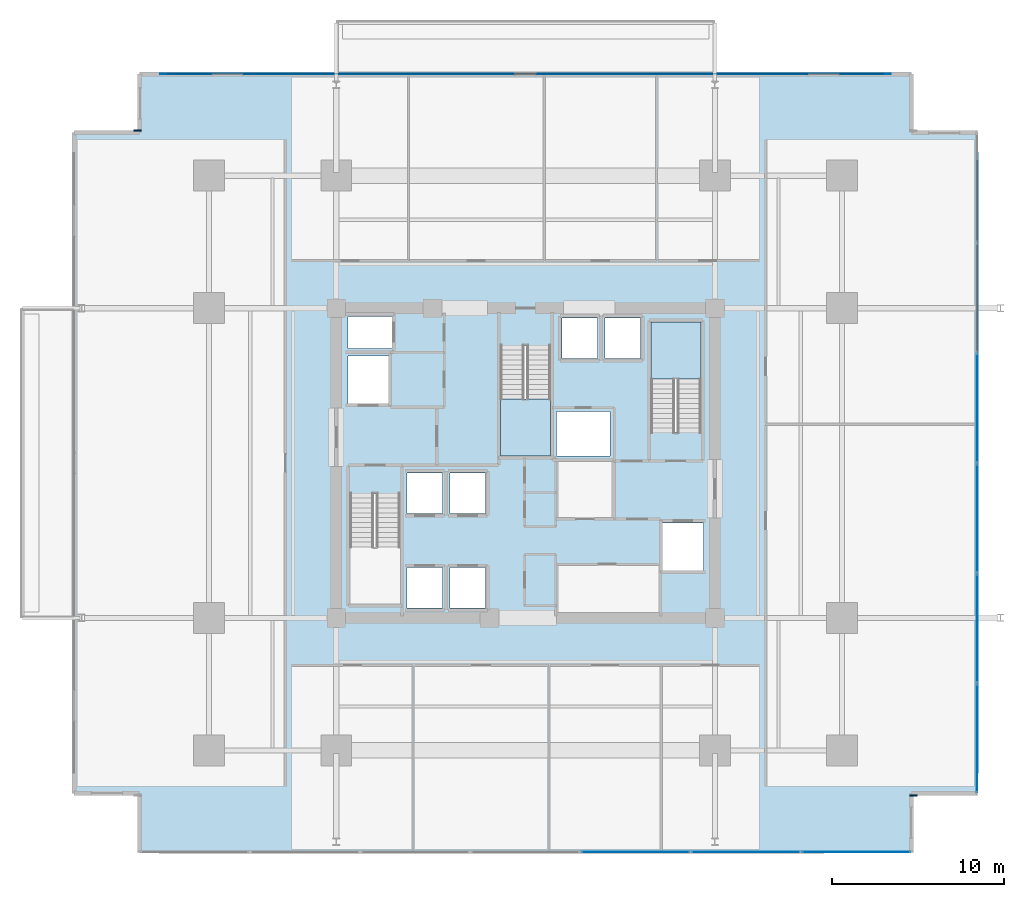
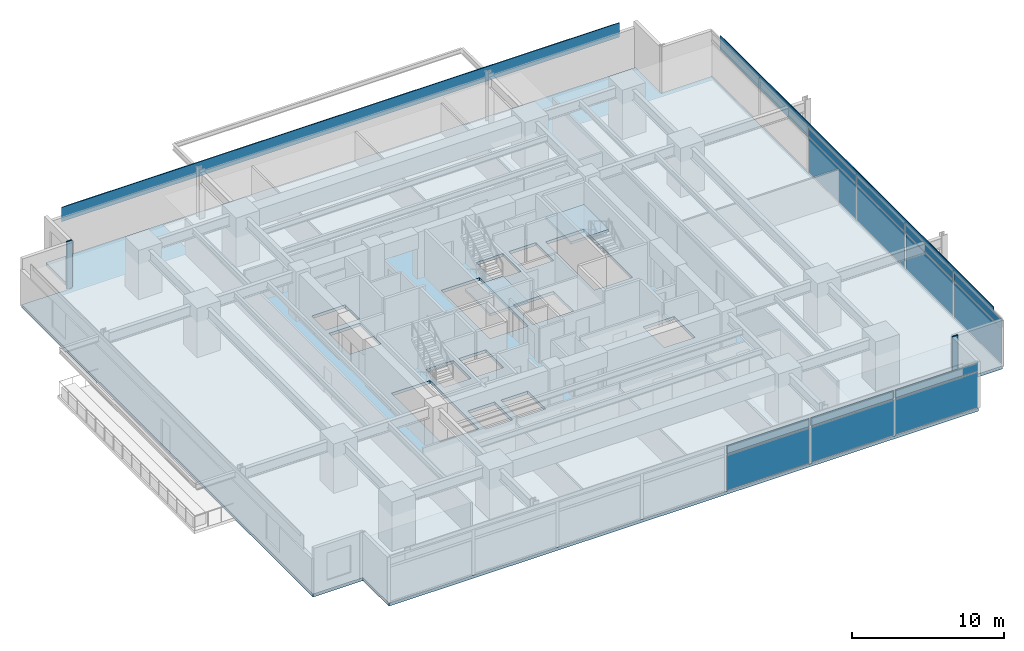
# One storey, part 13 of 22: 20 plates, 3 slabs, 4 elements without a shape of their own.
"""IFC4 building model written with IfcOpenShell, lengths in metres."""

from ifc_helpers import new_model, si_unit, direction, frame, origin, origin_2d, place, context, subcontext, project, spatial, polyline, rectangle, outline, extrude, material, layer, layer_set, type_object, element, aggregate, save


model = new_model("IFC4")

# Units and contexts
model_context = context("Model", 3, precision=1e-05, world=origin(), true_north=direction((0.0, 1.0)))
body_context = subcontext(model_context, "Body", "Model", "MODEL_VIEW")
ifc_project = project(units=[si_unit("LENGTHUNIT", "METRE"), si_unit("AREAUNIT", "SQUARE_METRE"), si_unit("VOLUMEUNIT", "CUBIC_METRE"), si_unit("PLANEANGLEUNIT", "RADIAN"), si_unit("MASSUNIT", "GRAM", prefix="KILO")], contexts=[model_context])

# Site, building, storey
site_placement = place(None, origin())
site = spatial("IfcSite", under=ifc_project, at=site_placement, CompositionType="ELEMENT")
building_placement = place(site_placement, origin())
building = spatial("IfcBuilding", under=site, at=building_placement, Name="Kovane Verandah Tower", CompositionType="ELEMENT")
storey_placement = place(building_placement, frame((0.0, 0.0, 79.60009765625)))
storey = spatial("IfcBuildingStorey", under=building, at=storey_placement, Name="L18", CompositionType="ELEMENT", Elevation=79.60009765625)

# Curtain wall, plates
ifc_material_1 = material(Name="Champagne Anodised Aluminium Frame with Low-E Clear Laminated Glass", Category="aluminium")
curtain_wall_type = type_object("IfcCurtainWallType", Name="CW-SYS-02-LOW", PredefinedType="NOTDEFINED", material=ifc_material_1)
curtain_wall_1_placement = place(storey_placement, origin())
curtain_wall_1 = element("IfcCurtainWall", 1, at=curtain_wall_1_placement, inside=storey, type_object=curtain_wall_type, Name="L18 S Unitised Curtain Wall", PredefinedType="NOTDEFINED")
ifc_material_2 = material(Name="Pale Champagne Anodised Aluminium Insulated Spandrel", Category="aluminium")
ifc_layer_1 = layer(ifc_material_2, 0.0400390625)
ifc_layer_set_1 = layer_set([ifc_layer_1], Name="Pale Champagne Anodised Aluminium Insulated Spandrel")
plate_type_1 = type_object("IfcPlateType", Name="PL-CW-SPD-40", PredefinedType="SHEET", material=ifc_layer_set_1)
plate_1_placement = place(storey_placement, frame((46.408203125, 4.89990234375, 3.02978515625), z_axis=(0.0, 0.0, 1.0), x_axis=(1.0, 0.0, 0.0)))
plate_1 = element("IfcPlate", 2, at=plate_1_placement, type_object=plate_type_1, Name="L18 S Unitised Curtain Wall Spandrel Panel 5", PredefinedType="SHEET", context=body_context, shape_type="SweptSolid", body=[
    extrude(rectangle(XDim=6.268310546875, YDim=0.0400390625, at=origin_2d()), origin(), (0.0, 0.0, 1.0), 0.639892578125),
])
plate_2_placement = place(storey_placement, frame((52.81640625, 4.89990234375, 3.02978515625), z_axis=(0.0, 0.0, 1.0), x_axis=(1.0, 0.0, 0.0)))
plate_2 = element("IfcPlate", 3, at=plate_2_placement, type_object=plate_type_1, Name="L18 S Unitised Curtain Wall Spandrel Panel 6", PredefinedType="SHEET", context=body_context, shape_type="SweptSolid", body=[
    extrude(rectangle(XDim=6.268310546875, YDim=0.0400390625, at=origin_2d()), origin(), (0.0, 0.0, 1.0), 0.639892578125),
])
plate_3_placement = place(storey_placement, frame((59.224609375, 4.89990234375, 3.02978515625), z_axis=(0.0, 0.0, 1.0), x_axis=(1.0, 0.0, 0.0)))
plate_3 = element("IfcPlate", 4, at=plate_3_placement, type_object=plate_type_1, Name="L18 S Unitised Curtain Wall Spandrel Panel 7", PredefinedType="SHEET", context=body_context, shape_type="SweptSolid", body=[
    extrude(rectangle(XDim=6.268310546875, YDim=0.0400390625, at=origin_2d()), origin(), (0.0, 0.0, 1.0), 0.639892578125),
])

curtain_wall_2_placement = place(storey_placement, origin())
curtain_wall_2 = element("IfcCurtainWall", 5, at=curtain_wall_2_placement, inside=storey, type_object=curtain_wall_type, Name="L18 E Unitised Curtain Wall", PredefinedType="NOTDEFINED")
plate_4_placement = place(storey_placement, frame((66.228759765625, 11.5, 3.02978515625), z_axis=(0.0, 0.0, 1.0), x_axis=(0.0, 1.0, 0.0)))
plate_4 = element("IfcPlate", 6, at=plate_4_placement, type_object=plate_type_1, Name="L18 E Unitised Curtain Wall Spandrel Panel 1", PredefinedType="SHEET", context=body_context, shape_type="SweptSolid", body=[
    extrude(rectangle(XDim=6.260009765625, YDim=0.0400390625, at=origin_2d()), origin(), (0.0, 0.0, 1.0), 0.639892578125),
])
plate_5_placement = place(storey_placement, frame((66.228759765625, 17.89990234375, 3.02978515625), z_axis=(0.0, 0.0, 1.0), x_axis=(0.0, 1.0, 0.0)))
plate_5 = element("IfcPlate", 7, at=plate_5_placement, type_object=plate_type_1, Name="L18 E Unitised Curtain Wall Spandrel Panel 2", PredefinedType="SHEET", context=body_context, shape_type="SweptSolid", body=[
    extrude(rectangle(XDim=6.260009765625, YDim=0.0400390625, at=origin_2d()), origin(), (0.0, 0.0, 1.0), 0.639892578125),
])
plate_6_placement = place(storey_placement, frame((66.228759765625, 24.300048828125, 3.02978515625), z_axis=(0.0, 0.0, 1.0), x_axis=(0.0, 1.0, 0.0)))
plate_6 = element("IfcPlate", 8, at=plate_6_placement, type_object=plate_type_1, Name="L18 E Unitised Curtain Wall Spandrel Panel 3", PredefinedType="SHEET", context=body_context, shape_type="SweptSolid", body=[
    extrude(rectangle(XDim=6.260009765625, YDim=0.0400390625, at=origin_2d()), origin(), (0.0, 0.0, 1.0), 0.639892578125),
])
plate_7_placement = place(storey_placement, frame((66.228759765625, 30.699951171875, 3.02978515625), z_axis=(0.0, 0.0, 1.0), x_axis=(0.0, 1.0, 0.0)))
plate_7 = element("IfcPlate", 9, at=plate_7_placement, type_object=plate_type_1, Name="L18 E Unitised Curtain Wall Spandrel Panel 4", PredefinedType="SHEET", context=body_context, shape_type="SweptSolid", body=[
    extrude(rectangle(XDim=6.260009765625, YDim=0.0400390625, at=origin_2d()), origin(), (0.0, 0.0, 1.0), 0.639892578125),
])

# Plate
ifc_material_3 = material(Name="Clear Low-E Laminated Double Glazing", Category="glass")
ifc_layer_2 = layer(ifc_material_3, 0.031982421875)
ifc_layer_set_2 = layer_set([ifc_layer_2], Name="Clear Low-E Laminated Double Glazing")
plate_type_2 = type_object("IfcPlateType", Name="PL-CW-VIS-32", PredefinedType="CURTAIN_PANEL", material=ifc_layer_set_2)
plate_8_placement = place(storey_placement, frame((46.408203125, 4.89990234375, 0.099853515625), z_axis=(0.0, 0.0, 1.0), x_axis=(1.0, 0.0, 0.0)))
plate_8 = element("IfcPlate", 10, at=plate_8_placement, type_object=plate_type_2, Name="L18 S Unitised Curtain Wall Vision Panel 5", PredefinedType="CURTAIN_PANEL", context=body_context, shape_type="SweptSolid", body=[
    extrude(rectangle(XDim=6.268310546875, YDim=0.031982421875, at=origin_2d()), origin(), (0.0, 0.0, 1.0), 2.830078125),
])

plate_9_placement = place(storey_placement, frame((52.81640625, 4.89990234375, 0.099853515625), z_axis=(0.0, 0.0, 1.0), x_axis=(1.0, 0.0, 0.0)))
plate_9 = element("IfcPlate", 11, at=plate_9_placement, type_object=plate_type_2, Name="L18 S Unitised Curtain Wall Vision Panel 6", PredefinedType="CURTAIN_PANEL", context=body_context, shape_type="SweptSolid", body=[
    extrude(rectangle(XDim=6.268310546875, YDim=0.031982421875, at=origin_2d()), origin(), (0.0, 0.0, 1.0), 2.830078125),
])

plate_10_placement = place(storey_placement, frame((59.224609375, 4.89990234375, 0.099853515625), z_axis=(0.0, 0.0, 1.0), x_axis=(1.0, 0.0, 0.0)))
plate_10 = element("IfcPlate", 12, at=plate_10_placement, type_object=plate_type_2, Name="L18 S Unitised Curtain Wall Vision Panel 7", PredefinedType="CURTAIN_PANEL", context=body_context, shape_type="SweptSolid", body=[
    extrude(rectangle(XDim=6.268310546875, YDim=0.031982421875, at=origin_2d()), origin(), (0.0, 0.0, 1.0), 2.830078125),
])

aggregate(curtain_wall_1, [plate_8, plate_1, plate_9, plate_2, plate_10, plate_3])

plate_11_placement = place(storey_placement, frame((66.228759765625, 11.5, 0.099853515625), z_axis=(0.0, 0.0, 1.0), x_axis=(0.0, 1.0, 0.0)))
plate_11 = element("IfcPlate", 13, at=plate_11_placement, type_object=plate_type_2, Name="L18 E Unitised Curtain Wall Vision Panel 1", PredefinedType="CURTAIN_PANEL", context=body_context, shape_type="SweptSolid", body=[
    extrude(rectangle(XDim=6.260009765625, YDim=0.031982421875, at=origin_2d()), origin(), (0.0, 0.0, 1.0), 2.830078125),
])

plate_12_placement = place(storey_placement, frame((66.228759765625, 17.89990234375, 0.099853515625), z_axis=(0.0, 0.0, 1.0), x_axis=(0.0, 1.0, 0.0)))
plate_12 = element("IfcPlate", 14, at=plate_12_placement, type_object=plate_type_2, Name="L18 E Unitised Curtain Wall Vision Panel 2", PredefinedType="CURTAIN_PANEL", context=body_context, shape_type="SweptSolid", body=[
    extrude(rectangle(XDim=6.260009765625, YDim=0.031982421875, at=origin_2d()), origin(), (0.0, 0.0, 1.0), 2.830078125),
])

plate_13_placement = place(storey_placement, frame((66.228759765625, 24.300048828125, 0.099853515625), z_axis=(0.0, 0.0, 1.0), x_axis=(0.0, 1.0, 0.0)))
plate_13 = element("IfcPlate", 15, at=plate_13_placement, type_object=plate_type_2, Name="L18 E Unitised Curtain Wall Vision Panel 3", PredefinedType="CURTAIN_PANEL", context=body_context, shape_type="SweptSolid", body=[
    extrude(rectangle(XDim=6.260009765625, YDim=0.031982421875, at=origin_2d()), origin(), (0.0, 0.0, 1.0), 2.830078125),
])

plate_14_placement = place(storey_placement, frame((66.228759765625, 30.699951171875, 0.099853515625), z_axis=(0.0, 0.0, 1.0), x_axis=(0.0, 1.0, 0.0)))
plate_14 = element("IfcPlate", 16, at=plate_14_placement, type_object=plate_type_2, Name="L18 E Unitised Curtain Wall Vision Panel 4", PredefinedType="CURTAIN_PANEL", context=body_context, shape_type="SweptSolid", body=[
    extrude(rectangle(XDim=6.260009765625, YDim=0.031982421875, at=origin_2d()), origin(), (0.0, 0.0, 1.0), 2.830078125),
])

aggregate(curtain_wall_2, [plate_11, plate_4, plate_12, plate_5, plate_13, plate_6, plate_14, plate_7])

# Plates
ifc_material_4 = material(Name="Timber-Toned Subtropical Aluminium Vertical Blade", Category="wood")
ifc_layer_3 = layer(ifc_material_4, 0.090087890625)
ifc_layer_set_3 = layer_set([ifc_layer_3], Name="Timber-Toned Subtropical Aluminium Vertical Blade")
plate_type_3 = type_object("IfcPlateType", Name="PL-FIN-90", PredefinedType="USERDEFINED", material=ifc_layer_set_3)
for number, where, z_axis, x_axis, name in (
    (17, (62.548583984375, 8.179931640625, -0.02001953125), (0.0, 0.0, 1.0), (1.0, 0.0, 0.0), "L18 SE Timber-Toned Vertical Corner Fin"),
    (18, (17.451416015625, 46.820068359375, -0.02001953125), (0.0, 0.0, 1.0), (1.0, 0.0, 0.0), "L18 NW Timber-Toned Vertical Corner Fin"),
):
    element("IfcPlate", number, at=place(storey_placement, frame(where, z_axis=z_axis, x_axis=x_axis)), inside=storey, type_object=plate_type_3, Name=name, ObjectType="FIN", PredefinedType="USERDEFINED", context=body_context, shape_type="SweptSolid", body=[
        extrude(rectangle(XDim=0.419921875, YDim=0.090087890625, at=origin_2d()), origin(), (0.0, 0.0, 1.0), 3.820068359375),
    ])
ifc_material_5 = material(Name="Perforated Pale Champagne Anodised Aluminium Solar Screen", Category="aluminium")
ifc_layer_4 = layer(ifc_material_5, 0.050048828125)
ifc_layer_set_4 = layer_set([ifc_layer_4], Name="Perforated Pale Champagne Anodised Aluminium Solar Screen")
plate_type_4 = type_object("IfcPlateType", Name="PL-SCREEN-50", PredefinedType="USERDEFINED", material=ifc_layer_set_4)
plate_15_placement = place(storey_placement, frame((66.24365234375, 27.5, 2.85986328125), z_axis=(0.0, 0.0, 1.0), x_axis=(0.0, 1.0, 0.0)))
element("IfcPlate", 19, at=plate_15_placement, inside=storey, type_object=plate_type_4, Name="L18 E Perforated Champagne-Gold Solar Screen", ObjectType="SCREEN", PredefinedType="USERDEFINED", context=body_context, shape_type="SweptSolid", body=[
    extrude(rectangle(XDim=36.0, YDim=0.050048828125, at=origin_2d()), origin(), (0.0, 0.0, 1.0), 1.14990234375),
])
plate_16_placement = place(storey_placement, frame((40.0, 50.114990234375, 2.85986328125), z_axis=(0.0, 0.0, 1.0), x_axis=(-1.0, 0.0, 0.0)))
element("IfcPlate", 20, at=plate_16_placement, inside=storey, type_object=plate_type_4, Name="L18 N Perforated Champagne-Gold Solar Screen", ObjectType="SCREEN", PredefinedType="USERDEFINED", context=body_context, shape_type="SweptSolid", body=[
    extrude(rectangle(XDim=42.45703125, YDim=0.050048828125, at=origin_2d()), origin(), (0.0, 0.0, 1.0), 1.14990234375),
])
ifc_material_6 = material(Name="Extruded Pale-Bronze Aluminium Aerofoil Sunshade", Category="aluminium")
ifc_layer_5 = layer(ifc_material_6, 0.06005859375)
ifc_layer_set_5 = layer_set([ifc_layer_5], Name="Extruded Pale-Bronze Aluminium Aerofoil Sunshade")
plate_type_5 = type_object("IfcPlateType", Name="PL-SUNSHADE-60", PredefinedType="USERDEFINED", material=ifc_layer_set_5)
plate_17_placement = place(storey_placement, frame((66.248779296875, 27.5, 3.73974609375), z_axis=(0.0, 0.0, 1.0), x_axis=(0.0, 1.0, 0.0)))
element("IfcPlate", 21, at=plate_17_placement, inside=storey, type_object=plate_type_5, Name="L18 E Subtropical Aerofoil Sunshade", ObjectType="SUNSHADE", PredefinedType="USERDEFINED", context=body_context, shape_type="SweptSolid", body=[
    extrude(rectangle(XDim=35.199951171875, YDim=0.06005859375, at=origin_2d()), origin(), (0.0, 0.0, 1.0), 0.280029296875),
])
plate_18_placement = place(storey_placement, frame((40.0, 50.1201171875, 3.73974609375), z_axis=(0.0, 0.0, 1.0), x_axis=(-1.0, 0.0, 0.0)))
element("IfcPlate", 22, at=plate_18_placement, inside=storey, type_object=plate_type_5, Name="L18 N Subtropical Aerofoil Sunshade", ObjectType="SUNSHADE", PredefinedType="USERDEFINED", context=body_context, shape_type="SweptSolid", body=[
    extrude(rectangle(XDim=41.656982421875, YDim=0.06005859375, at=origin_2d()), origin(), (0.0, 0.0, 1.0), 0.280029296875),
])

# Stair, slab
ifc_material_7 = material(Name="Concrete C45/55", Category="concrete")
stair_type = type_object("IfcStairType", Name="ST-CORE-1380", PredefinedType="HALF_TURN_STAIR", material=ifc_material_7)
stair_1_placement = place(storey_placement, origin())
stair_1 = element("IfcStair", 23, at=stair_1_placement, inside=storey, type_object=stair_type, Name="L18 Exit Stair ST-02", PredefinedType="HALF_TURN_STAIR")
ifc_layer_6 = layer(ifc_material_7, 0.199951171875)
ifc_layer_set_6 = layer_set([ifc_layer_6], Name="Concrete C45/55")
slab_type_1 = type_object("IfcSlabType", Name="SL-LAND-200", PredefinedType="LANDING", material=ifc_layer_set_6)
slab_1_placement = place(storey_placement, frame((0.0, 0.0, 1.7998046875)))
slab_1 = element("IfcSlab", 24, at=slab_1_placement, type_object=slab_type_1, Name="ST-02 landing 1", PredefinedType="LANDING", context=body_context, shape_type="SweptSolid", body=[
    extrude(outline(polyline([(50.199951171875, 32.385009765625), (50.199951171875, 35.699951171875), (47.280029296875, 35.699951171875), (47.280029296875, 32.385009765625), (50.199951171875, 32.385009765625)])), origin(), (0.0, 0.0, 1.0), 0.2001953125),
])
aggregate(stair_1, [slab_1])

stair_2_placement = place(storey_placement, origin())
stair_2 = element("IfcStair", 25, at=stair_2_placement, inside=storey, type_object=stair_type, Name="L18 Exit Stair ST-03", PredefinedType="HALF_TURN_STAIR")
slab_2_placement = place(storey_placement, frame((0.0, 0.0, 1.7998046875)))
slab_2 = element("IfcSlab", 26, at=slab_2_placement, type_object=slab_type_1, Name="ST-03 landing 1", PredefinedType="LANDING", context=body_context, shape_type="SweptSolid", body=[
    extrude(outline(polyline([(38.5400390625, 31.215087890625), (38.5400390625, 27.89990234375), (41.4599609375, 27.89990234375), (41.4599609375, 31.215087890625), (38.5400390625, 31.215087890625)])), origin(), (0.0, 0.0, 1.0), 0.2001953125),
])
aggregate(stair_2, [slab_2])

# Slab
ifc_layer_7 = layer(ifc_material_7, 0.239990234375)
ifc_layer_set_7 = layer_set([ifc_layer_7], Name="Concrete C45/55")
slab_type_2 = type_object("IfcSlabType", Name="SL-TYP-240", PredefinedType="FLOOR", material=ifc_layer_set_7)
slab_3_placement = place(storey_placement, frame((0.0, 0.0, -0.239990234375)))
element("IfcSlab", 27, at=slab_3_placement, inside=storey, type_object=slab_type_2, Name="L18 Structural Floor Slab", PredefinedType="FLOOR", context=body_context, shape_type="SweptSolid", body=[
    extrude(outline(polyline([(17.5712890625, 4.89990234375), (62.4287109375, 4.89990234375), (62.4287109375, 8.2998046875), (66.228759765625, 8.2998046875), (66.228759765625, 46.7001953125), (62.4287109375, 46.7001953125), (62.4287109375, 50.10009765625), (17.5712890625, 50.10009765625), (17.5712890625, 46.7001953125), (13.771240234375, 46.7001953125), (13.771240234375, 8.2998046875), (17.5712890625, 8.2998046875), (17.5712890625, 4.89990234375)]), holes=[polyline([(29.800048828125, 19.300048828125), (32.719970703125, 19.300048828125), (32.719970703125, 25.705078125), (29.800048828125, 25.705078125), (29.800048828125, 19.300048828125)]), polyline([(47.280029296875, 29.294921875), (50.199951171875, 29.294921875), (50.199951171875, 35.699951171875), (47.280029296875, 35.699951171875), (47.280029296875, 29.294921875)]), polyline([(38.5400390625, 27.89990234375), (41.4599609375, 27.89990234375), (41.4599609375, 34.304931640625), (38.5400390625, 34.304931640625), (38.5400390625, 27.89990234375)]), polyline([(29.669921875, 30.969970703125), (32.030029296875, 30.969970703125), (32.030029296875, 33.72998046875), (29.669921875, 33.72998046875), (29.669921875, 30.969970703125)]), polyline([(47.969970703125, 21.27001953125), (50.330078125, 21.27001953125), (50.330078125, 24.030029296875), (47.969970703125, 24.030029296875), (47.969970703125, 21.27001953125)]), polyline([(29.669921875, 34.169921875), (32.22998046875, 34.169921875), (32.22998046875, 36.030029296875), (29.669921875, 36.030029296875), (29.669921875, 34.169921875)]), polyline([(33.1201171875, 19.070068359375), (35.179931640625, 19.070068359375), (35.179931640625, 21.429931640625), (33.1201171875, 21.429931640625), (33.1201171875, 19.070068359375)]), polyline([(35.6201171875, 19.070068359375), (37.679931640625, 19.070068359375), (37.679931640625, 21.429931640625), (35.6201171875, 21.429931640625), (35.6201171875, 19.070068359375)]), polyline([(33.1201171875, 24.570068359375), (35.179931640625, 24.570068359375), (35.179931640625, 26.929931640625), (33.1201171875, 26.929931640625), (33.1201171875, 24.570068359375)]), polyline([(35.6201171875, 24.570068359375), (37.679931640625, 24.570068359375), (37.679931640625, 26.929931640625), (35.6201171875, 26.929931640625), (35.6201171875, 24.570068359375)]), polyline([(42.1201171875, 33.570068359375), (44.179931640625, 33.570068359375), (44.179931640625, 35.929931640625), (42.1201171875, 35.929931640625), (42.1201171875, 33.570068359375)]), polyline([(44.6201171875, 33.570068359375), (46.679931640625, 33.570068359375), (46.679931640625, 35.929931640625), (44.6201171875, 35.929931640625), (44.6201171875, 33.570068359375)]), polyline([(41.800048828125, 27.89990234375), (44.89990234375, 27.89990234375), (44.89990234375, 30.5), (41.800048828125, 30.5), (41.800048828125, 27.89990234375)])]), origin(), (0.0, 0.0, 1.0), 0.239990234375),
])

save(model, "model.ifc")
